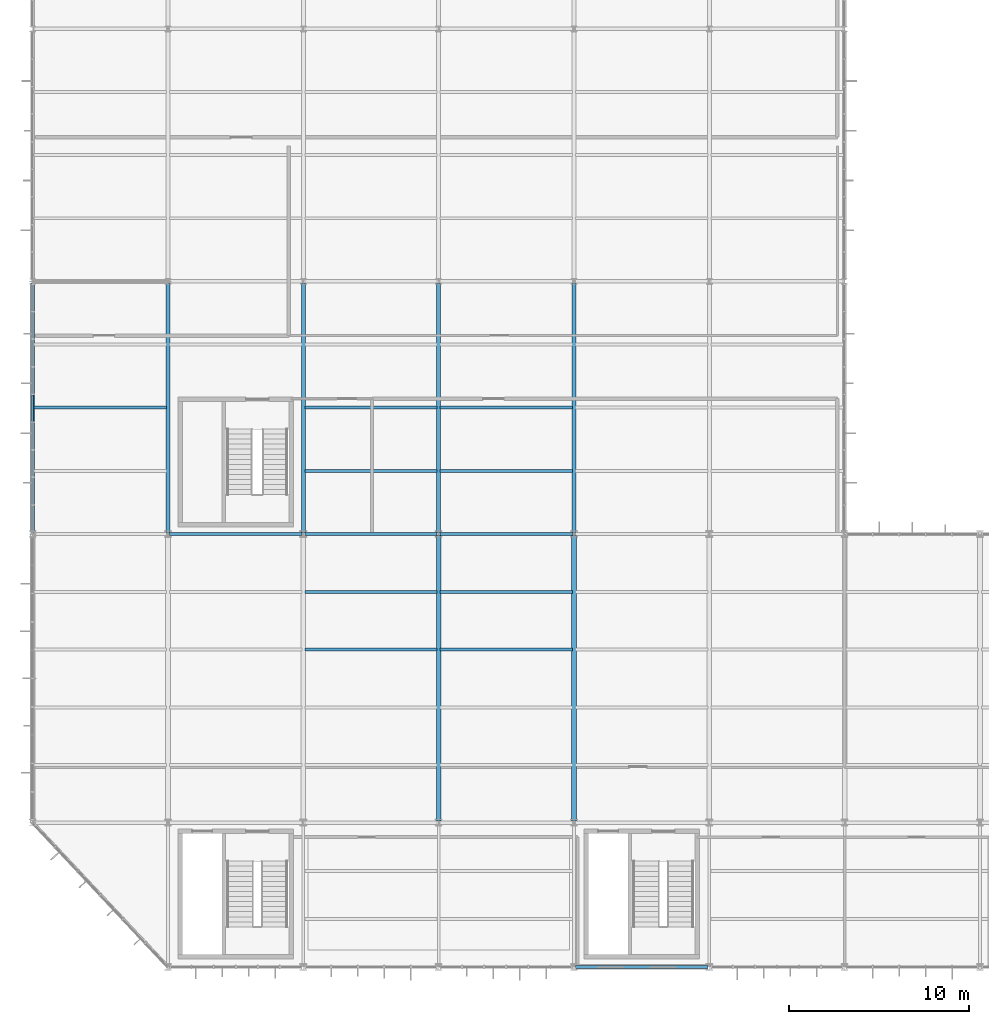
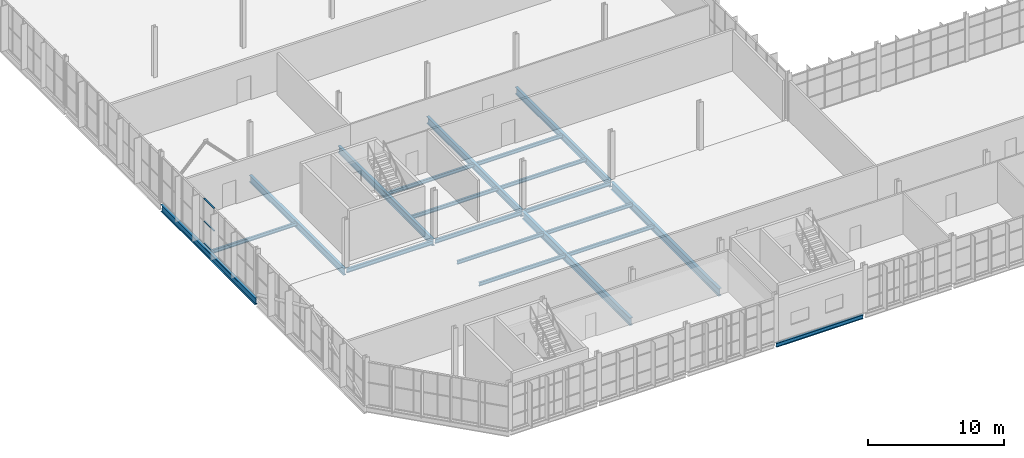
# One storey, part 25 of 324: 20 beams, 3 members, 1 element without a shape of its own.
"""IFC4 building model written with IfcOpenShell, lengths in metres."""

from ifc_helpers import new_model, si_unit, direction, frame, origin, origin_2d, place, context, subcontext, project, spatial, hollow_rectangle, i_section, extrude, material, layer, layer_set, material_profile, profile_set, type_object, element, aggregate, save


model = new_model("IFC4")

# Units and contexts
model_context = context("Model", 3, precision=1e-05, world=origin(), true_north=direction((0.0, 1.0)))
body_context = subcontext(model_context, "Body", "Model", "MODEL_VIEW")
ifc_project = project(units=[si_unit("LENGTHUNIT", "METRE"), si_unit("AREAUNIT", "SQUARE_METRE"), si_unit("VOLUMEUNIT", "CUBIC_METRE"), si_unit("PLANEANGLEUNIT", "RADIAN"), si_unit("MASSUNIT", "GRAM", prefix="KILO")], contexts=[model_context])

# Site, building, storey
site_placement = place(None, origin())
site = spatial("IfcSite", under=ifc_project, at=site_placement, CompositionType="ELEMENT")
building_placement = place(site_placement, origin())
building = spatial("IfcBuilding", under=site, at=building_placement, Name="Solvenia Promenade Tram Depot", CompositionType="ELEMENT")
storey_placement = place(building_placement, frame((0.0, 0.0, 4.5)))
storey = spatial("IfcBuildingStorey", under=building, at=storey_placement, Name="L01", CompositionType="ELEMENT", Elevation=4.5)

# Curtain wall, members
ifc_material_1 = material(Name="Anodized aluminium AW-6063 T6", Category="aluminium")
ifc_layer = layer(ifc_material_1, 0.1201171875, Name="Anodized aluminium AW-6063 T6", Category="aluminium")
ifc_layer_set = layer_set([ifc_layer], Name="Anodized aluminium AW-6063 T6")
curtain_wall_type = type_object("IfcCurtainWallType", Name="CW-Wash-1500", PredefinedType="NOTDEFINED", material=ifc_layer_set)
curtain_wall_placement = place(storey_placement, origin())
curtain_wall = element("IfcCurtainWall", 1, at=curtain_wall_placement, inside=storey, type_object=curtain_wall_type, Name="Curtain Wall CW-V3-W-L1-1", PredefinedType="NOTDEFINED")
ifc_material_profile_1 = material_profile(ifc_material_1, hollow_rectangle(XDim=0.1201171875, YDim=0.06005859375, WallThickness=0.00390625, at=origin_2d()), Name="ALU-T1", Category="aluminium")
ifc_profile_set_1 = profile_set([ifc_material_profile_1], Name="Anodized aluminium AW-6063 T6")
member_type = type_object("IfcMemberType", Name="CWT-Transom-1", PredefinedType="USERDEFINED", material=ifc_profile_set_1)
member_1_placement = place(storey_placement, frame((0.0, 30.23046875, 0.030029296875), z_axis=(0.0, 1.0, 0.0), x_axis=(-1.0, 0.0, 0.0)))
member_1 = element("IfcMember", 2, at=member_1_placement, type_object=member_type, Name="CW-10 transom 5.1", ObjectType="TRANSOM", PredefinedType="USERDEFINED", context=body_context, shape_type="SweptSolid", body=[
    extrude(hollow_rectangle(XDim=0.1201171875, YDim=0.06005859375, WallThickness=0.00390625, at=origin_2d()), origin(), (0.0, 0.0, 1.0), 1.47900390625),
])
member_2_placement = place(storey_placement, frame((0.0, 30.23046875, 2.0), z_axis=(0.0, 1.0, 0.0), x_axis=(-1.0, 0.0, 0.0)))
member_2 = element("IfcMember", 3, at=member_2_placement, type_object=member_type, Name="CW-10 transom 5.2", ObjectType="TRANSOM", PredefinedType="USERDEFINED", context=body_context, shape_type="SweptSolid", body=[
    extrude(hollow_rectangle(XDim=0.1201171875, YDim=0.06005859375, WallThickness=0.00390625, at=origin_2d()), origin(), (0.0, 0.0, 1.0), 1.47900390625),
])
member_3_placement = place(storey_placement, frame((0.0, 30.23046875, 4.02001953125), z_axis=(0.0, 1.0, 0.0), x_axis=(-1.0, 0.0, 0.0)))
member_3 = element("IfcMember", 4, at=member_3_placement, type_object=member_type, Name="CW-10 transom 5.3", ObjectType="TRANSOM", PredefinedType="USERDEFINED", context=body_context, shape_type="SweptSolid", body=[
    extrude(hollow_rectangle(XDim=0.1201171875, YDim=0.06005859375, WallThickness=0.00390625, at=origin_2d()), origin(), (0.0, 0.0, 1.0), 1.47900390625),
])
aggregate(curtain_wall, [member_1, member_2, member_3])

# Beams
ifc_material_2 = material(Name="Structural steel ASTM A992 Gr. 50", Category="steel")
ifc_material_profile_2 = material_profile(ifc_material_2, i_section(OverallWidth=0.22900390625, OverallDepth=0.612060546875, WebThickness=0.011962890625, FlangeThickness=0.01953125, FilletRadius=0.014892578125, at=origin_2d()), Name="W610x125", Category="steel")
ifc_profile_set_2 = profile_set([ifc_material_profile_2], Name="Structural steel ASTM A992 Gr. 50")
beam_type_1 = type_object("IfcBeamType", Name="Gird-W610x125", PredefinedType="BEAM", material=ifc_profile_set_2)
for number, where, z_axis, x_axis, name in (
    (5, (0.0, 24.0849609375, -0.5458984375), (0.0, 1.0, 0.0), (-1.0, 0.0, 0.0), "Transverse Girder BM-L01-0229"),
    (6, (7.5, 24.0849609375, -0.5458984375), (0.0, 1.0, 0.0), (-1.0, 0.0, 0.0), "Transverse Girder BM-L01-0232"),
    (7, (15.0, 24.0849609375, -0.5458984375), (0.0, 1.0, 0.0), (-1.0, 0.0, 0.0), "Transverse Girder BM-L01-0235"),
    (8, (22.5, 24.0849609375, -0.5458984375), (0.0, 1.0, 0.0), (-1.0, 0.0, 0.0), "Transverse Girder BM-L01-0238"),
    (9, (30.0, 24.0849609375, -0.5458984375), (0.0, 1.0, 0.0), (-1.0, 0.0, 0.0), "Transverse Girder BM-L01-0241"),
):
    element("IfcBeam", number, at=place(storey_placement, frame(where, z_axis=z_axis, x_axis=x_axis)), inside=storey, type_object=beam_type_1, Name=name, PredefinedType="BEAM", context=body_context, shape_type="SweptSolid", body=[
        extrude(i_section(OverallWidth=0.22900390625, OverallDepth=0.612060546875, WebThickness=0.011962890625, FlangeThickness=0.01953125, FilletRadius=0.014892578125, at=origin_2d()), origin(), (0.0, 0.0, 1.0), 13.830078125),
    ])
ifc_material_profile_3 = material_profile(ifc_material_2, i_section(OverallWidth=0.25390625, OverallDepth=0.68408203125, WebThickness=0.012451171875, FlangeThickness=0.018798828125, FilletRadius=0.01611328125, at=origin_2d()), Name="W690x140", Category="steel")
ifc_profile_set_3 = profile_set([ifc_material_profile_3], Name="Structural steel ASTM A992 Gr. 50")
beam_type_2 = type_object("IfcBeamType", Name="Gird-W690x140", PredefinedType="BEAM", material=ifc_profile_set_3)
for number, where, z_axis, x_axis, name in (
    (10, (22.5, 8.0849609375, -0.56201171875), (0.0, 1.0, 0.0), (-1.0, 0.0, 0.0), "Transverse Girder BM-L01-0336"),
    (11, (30.0, 8.0849609375, -0.56201171875), (0.0, 1.0, 0.0), (-1.0, 0.0, 0.0), "Transverse Girder BM-L01-0338"),
):
    element("IfcBeam", number, at=place(storey_placement, frame(where, z_axis=z_axis, x_axis=x_axis)), inside=storey, type_object=beam_type_2, Name=name, PredefinedType="BEAM", context=body_context, shape_type="SweptSolid", body=[
        extrude(i_section(OverallWidth=0.25390625, OverallDepth=0.68408203125, WebThickness=0.012451171875, FlangeThickness=0.018798828125, FilletRadius=0.01611328125, at=origin_2d()), origin(), (0.0, 0.0, 1.0), 15.830078125),
    ])
ifc_material_profile_4 = material_profile(ifc_material_2, i_section(OverallWidth=0.166015625, OverallDepth=0.31298828125, WebThickness=0.006591796875, FlangeThickness=0.01123046875, FilletRadius=0.010009765625, at=origin_2d()), Name="W310x45", Category="steel")
ifc_profile_set_4 = profile_set([ifc_material_profile_4], Name="Structural steel ASTM A992 Gr. 50")
beam_type_3 = type_object("IfcBeamType", Name="Joist-W310x45", PredefinedType="JOIST", material=ifc_profile_set_4)
for number, where, z_axis, x_axis, name in (
    (12, (0.0849609375, 31.0, -0.396484375), (1.0, 0.0, 0.0), (0.0, 1.0, 0.0), "Secondary Floor Joist BM-L01-0251"),
    (13, (15.0849609375, 27.5, -0.396484375), (1.0, 0.0, 0.0), (0.0, 1.0, 0.0), "Secondary Floor Joist BM-L01-0266"),
    (14, (15.0849609375, 31.0, -0.396484375), (1.0, 0.0, 0.0), (0.0, 1.0, 0.0), "Secondary Floor Joist BM-L01-0267"),
    (15, (22.5849609375, 27.5, -0.396484375), (1.0, 0.0, 0.0), (0.0, 1.0, 0.0), "Secondary Floor Joist BM-L01-0275"),
    (16, (22.5849609375, 31.0, -0.396484375), (1.0, 0.0, 0.0), (0.0, 1.0, 0.0), "Secondary Floor Joist BM-L01-0276"),
    (17, (15.0849609375, 17.60009765625, -0.37646484375), (1.0, 0.0, 0.0), (0.0, 1.0, 0.0), "Secondary Floor Joist BM-L01-0368"),
    (18, (15.0849609375, 20.800048828125, -0.37646484375), (1.0, 0.0, 0.0), (0.0, 1.0, 0.0), "Secondary Floor Joist BM-L01-0369"),
    (19, (22.5849609375, 17.60009765625, -0.37646484375), (1.0, 0.0, 0.0), (0.0, 1.0, 0.0), "Secondary Floor Joist BM-L01-0374"),
    (20, (22.5849609375, 20.800048828125, -0.37646484375), (1.0, 0.0, 0.0), (0.0, 1.0, 0.0), "Secondary Floor Joist BM-L01-0375"),
):
    element("IfcBeam", number, at=place(storey_placement, frame(where, z_axis=z_axis, x_axis=x_axis)), inside=storey, type_object=beam_type_3, Name=name, PredefinedType="JOIST", context=body_context, shape_type="SweptSolid", body=[
        extrude(i_section(OverallWidth=0.166015625, OverallDepth=0.31298828125, WebThickness=0.006591796875, FlangeThickness=0.01123046875, FilletRadius=0.010009765625, at=origin_2d()), origin(), (0.0, 0.0, 1.0), 7.330078125),
    ])
ifc_material_profile_5 = material_profile(ifc_material_2, i_section(OverallWidth=0.172119140625, OverallDepth=0.35791015625, WebThickness=0.0078125, FlangeThickness=0.01318359375, FilletRadius=0.010986328125, at=origin_2d()), Name="W360x57", Category="steel")
ifc_profile_set_5 = profile_set([ifc_material_profile_5], Name="Structural steel ASTM A992 Gr. 50")
beam_type_4 = type_object("IfcBeamType", Name="Spandrel-W360x57", PredefinedType="SPANDREL", material=ifc_profile_set_5)
for number, where, z_axis, x_axis, name in (
    (21, (7.5849609375, 24.0, -0.4189453125), (1.0, 0.0, 0.0), (0.0, 1.0, 0.0), "Perimeter Spandrel BM-L01-0212"),
    (22, (15.0849609375, 24.0, -0.4189453125), (1.0, 0.0, 0.0), (0.0, 1.0, 0.0), "Perimeter Spandrel BM-L01-0213"),
    (23, (22.5849609375, 24.0, -0.4189453125), (1.0, 0.0, 0.0), (0.0, 1.0, 0.0), "Perimeter Spandrel BM-L01-0214"),
    (24, (30.0849609375, 0.0, -0.39892578125), (1.0, 0.0, 0.0), (0.0, 1.0, 0.0), "Perimeter Spandrel BM-L01-0305"),
):
    element("IfcBeam", number, at=place(storey_placement, frame(where, z_axis=z_axis, x_axis=x_axis)), inside=storey, type_object=beam_type_4, Name=name, PredefinedType="SPANDREL", context=body_context, shape_type="SweptSolid", body=[
        extrude(i_section(OverallWidth=0.172119140625, OverallDepth=0.35791015625, WebThickness=0.0078125, FlangeThickness=0.01318359375, FilletRadius=0.010986328125, at=origin_2d()), origin(), (0.0, 0.0, 1.0), 7.330078125),
    ])

save(model, "model.ifc")
